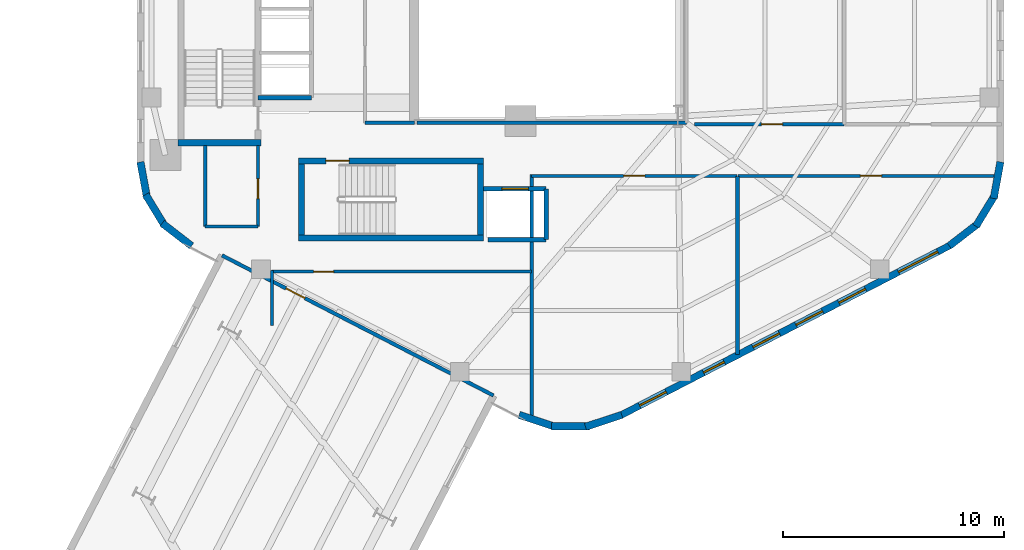
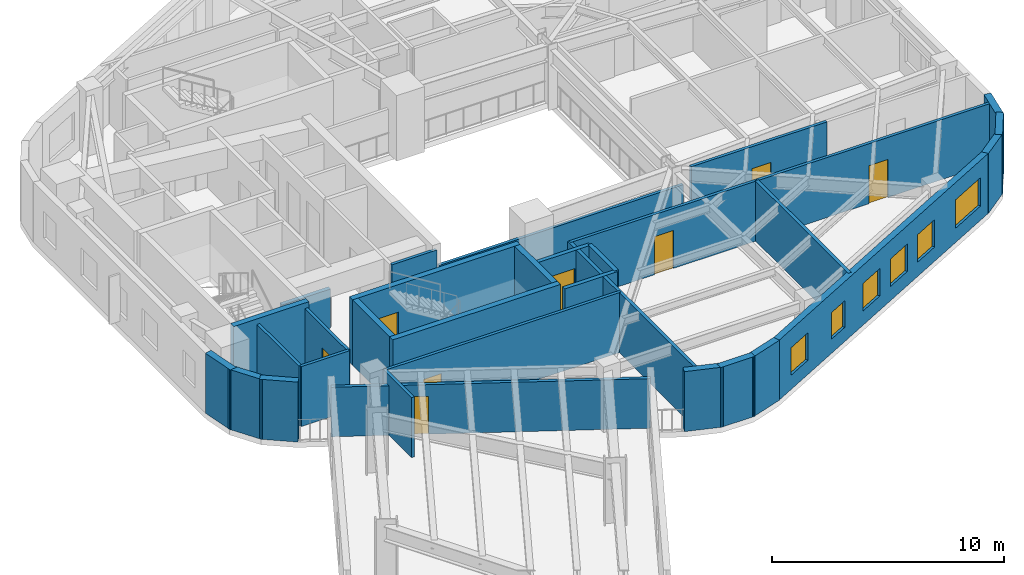
# One storey, part 5 of 9: 32 walls, 8 doors, 6 windows, 14 openings.
"""IFC4 building model written with IfcOpenShell, lengths in metres."""

from ifc_helpers import new_model, si_unit, direction, frame, frame_2d, origin, place, context, subcontext, project, spatial, rectangle, extrude, material, layer, layer_set, type_object, element, fill, save


model = new_model("IFC4")

# Units and contexts
model_context = context("Model", 3, precision=1e-05, world=origin(), true_north=direction((0.0, 1.0)))
body_context = subcontext(model_context, "Body", "Model", "MODEL_VIEW")
ifc_project = project(units=[si_unit("LENGTHUNIT", "METRE"), si_unit("AREAUNIT", "SQUARE_METRE"), si_unit("VOLUMEUNIT", "CUBIC_METRE"), si_unit("PLANEANGLEUNIT", "RADIAN"), si_unit("MASSUNIT", "GRAM", prefix="KILO"), si_unit("THERMODYNAMICTEMPERATUREUNIT", "KELVIN"), si_unit("POWERUNIT", "WATT")], contexts=[model_context])

# Site, building, storey
site_placement = place(None, origin())
site = spatial("IfcSite", under=ifc_project, at=site_placement, CompositionType="ELEMENT")
building_placement = place(site_placement, origin())
building = spatial("IfcBuilding", under=site, at=building_placement, Name="Skarre Station Tower", CompositionType="ELEMENT")
storey_placement = place(building_placement, frame((0.0, 0.0, 177.449951171875)))
storey = spatial("IfcBuildingStorey", under=building, at=storey_placement, Name="L48", CompositionType="ELEMENT", Elevation=177.449951171875)

# Walls
ifc_material_1 = material(Name="Acoustic Steel-Stud Gypsum Partition", Category="steel")
ifc_layer_1 = layer(ifc_material_1, 0.14990234375, Name="Acoustic Steel-Stud Gypsum Partition")
ifc_layer_set_1 = layer_set([ifc_layer_1], Name="Acoustic Steel-Stud Gypsum Partition")
wall_type_1 = type_object("IfcWallType", Name="Fire-Rated Corridor Acoustic Partition 150", PredefinedType="PARTITIONING", material=ifc_layer_set_1)
wall_1_placement = place(storey_placement, frame((25.320068359375, 18.360107421875, 0.0), z_axis=(0.0, 0.0, 1.0), x_axis=(1.0, 0.0, 0.0)))
element("IfcWall", 1, at=wall_1_placement, inside=storey, type_object=wall_type_1, Name="L48 Interior Partition WL-PT-L48-RC1-S", PredefinedType="PARTITIONING", context=body_context, shape_type="SweptSolid", body=[
    extrude(rectangle(XDim=2.22998046875, YDim=0.14990234375, at=frame_2d((1.114990234375, 0.0))), origin(), (0.0, 0.0, 1.0), 3.16015625),
])
wall_2_placement = place(storey_placement, frame((18.10009765625, 17.340087890625, 0.0), z_axis=(0.0, 0.0, 1.0), x_axis=(0.0, -1.0, 0.0)))
element("IfcWall", 2, at=wall_2_placement, inside=storey, type_object=wall_type_1, Name="L48 Interior Partition WL-PT-L48-CSVC-W", PredefinedType="PARTITIONING", context=body_context, shape_type="SweptSolid", body=[
    extrude(rectangle(XDim=3.66015625, YDim=0.14990234375, at=frame_2d((1.830078125, 0.0))), origin(), (0.0, 0.0, 1.0), 3.16015625),
])
wall_3_placement = place(storey_placement, frame((18.10009765625, 13.679931640625, 0.0), z_axis=(0.0, 0.0, 1.0), x_axis=(1.0, 0.0, 0.0)))
element("IfcWall", 3, at=wall_3_placement, inside=storey, type_object=wall_type_1, Name="L48 Interior Partition WL-PT-L48-CSVC-S", PredefinedType="PARTITIONING", context=body_context, shape_type="SweptSolid", body=[
    extrude(rectangle(XDim=2.389892578125, YDim=0.14990234375, at=frame_2d((1.19482421875, 0.0))), origin(), (0.0, 0.0, 1.0), 3.16015625),
])

# Wall, opening, door
wall_4_placement = place(storey_placement, frame((20.489990234375, 13.679931640625, 0.0), z_axis=(0.0, 0.0, 1.0), x_axis=(0.0, 1.0, 0.0)))
wall_4 = element("IfcWall", 4, at=wall_4_placement, inside=storey, type_object=wall_type_1, Name="L48 Interior Partition WL-PT-L48-CSVC-E", PredefinedType="PARTITIONING", context=body_context, shape_type="SweptSolid", body=[
    extrude(rectangle(XDim=3.66015625, YDim=0.14990234375, at=frame_2d((1.830078125, 0.0))), origin(), (0.0, 0.0, 1.0), 3.16015625),
])
opening_1_placement = place(wall_4_placement, frame((1.25, 0.0, 0.0)))
opening_1 = element("IfcOpeningElement", 5, at=opening_1_placement, cuts=wall_4, Name="Opening DR-SVC90", PredefinedType="OPENING", context=body_context, shape_type="SweptSolid", body=[
    extrude(rectangle(XDim=0.89990234375, YDim=2.0, at=frame_2d((0.449951171875, 1.0))), frame((0.0, 0.0849609375, 0.0), z_axis=(0.0, -1.0, 0.0), x_axis=(1.0, 0.0, 0.0)), (0.0, 0.0, 1.0), 0.169921875),
])
ifc_material_2 = material(Name="Powder-Coated Hollow-Metal Acoustic Fire Leaf", Category="steel")
door_type_1 = type_object("IfcDoorType", Name="Service & Riser Fire Door FD60 900x2100", OperationType="SINGLE_SWING_LEFT", PredefinedType="DOOR", material=ifc_material_2)
door_1_placement = place(opening_1_placement, origin())
door_1 = element("IfcDoor", 6, at=door_1_placement, inside=storey, type_object=door_type_1, Name="L48 Core Pantry Door", OperationType="SINGLE_SWING_LEFT", OverallHeight=2.0, OverallWidth=0.89990234375, PredefinedType="DOOR", context=body_context, shape_type="SweptSolid", body=[
    extrude(rectangle(XDim=0.89990234375, YDim=2.0, at=frame_2d((0.449951171875, 1.0))), frame((0.0, 0.02490234375, 0.0), z_axis=(0.0, -1.0, 0.0), x_axis=(1.0, 0.0, 0.0)), (0.0, 0.0, 1.0), 0.050048828125),
])
fill(opening_1, door_1)

# Walls
wall_5_placement = place(storey_placement, frame((27.675048828125, 18.360107421875, 0.0), z_axis=(0.0, 0.0, 1.0), x_axis=(1.0, 0.0, 0.0)))
element("IfcWall", 7, at=wall_5_placement, inside=storey, type_object=wall_type_1, Name="L48 Interior Partition WL-PT-L48-ATRW-S", PredefinedType="PARTITIONING", context=body_context, shape_type="SweptSolid", body=[
    extrude(rectangle(XDim=12.1650390625, YDim=0.14990234375, at=frame_2d((6.08251953125, 0.0))), origin(), (0.0, 0.0, 1.0), 2.301025390625),
])
wall_6_placement = place(storey_placement, frame((21.1201171875, 9.199951171875, 0.0), z_axis=(0.0, 0.0, 1.0), x_axis=(0.0, 1.0, 0.0)))
element("IfcWall", 8, at=wall_6_placement, inside=storey, type_object=wall_type_1, Name="L48 Interior Partition WL-PT-L48-SWP-W4", PredefinedType="PARTITIONING", context=body_context, shape_type="SweptSolid", body=[
    extrude(rectangle(XDim=2.47998046875, YDim=0.14990234375, at=frame_2d((1.239990234375, 0.0))), origin(), (0.0, 0.0, 1.0), 3.16015625),
])

# Wall, opening, door
wall_7_placement = place(storey_placement, frame((21.10009765625, 11.639892578125, 0.0), z_axis=(0.0, 0.0, 1.0), x_axis=(1.0, 0.0, 0.0)))
wall_7 = element("IfcWall", 9, at=wall_7_placement, inside=storey, type_object=wall_type_1, Name="L48 Interior Partition WL-PT-L48-SWP-N", PredefinedType="PARTITIONING", context=body_context, shape_type="SweptSolid", body=[
    extrude(rectangle(XDim=11.75, YDim=0.14990234375, at=frame_2d((5.875, 0.0))), origin(), (0.0, 0.0, 1.0), 3.16015625),
])
opening_2_placement = place(wall_7_placement, frame((1.89990234375, 0.0, 0.0)))
opening_2 = element("IfcOpeningElement", 10, at=opening_2_placement, cuts=wall_7, Name="Opening DR-SVC90", PredefinedType="OPENING", context=body_context, shape_type="SweptSolid", body=[
    extrude(rectangle(XDim=0.89990234375, YDim=2.0, at=frame_2d((0.449951171875, 1.0))), frame((0.0, 0.0849609375, 0.0), z_axis=(0.0, -1.0, 0.0), x_axis=(1.0, 0.0, 0.0)), (0.0, 0.0, 1.0), 0.169921875),
])
door_2_placement = place(opening_2_placement, origin())
door_2 = element("IfcDoor", 11, at=door_2_placement, inside=storey, type_object=door_type_1, Name="L48 Floor Public Toilets Door", OperationType="SINGLE_SWING_LEFT", OverallHeight=2.0, OverallWidth=0.89990234375, PredefinedType="DOOR", context=body_context, shape_type="SweptSolid", body=[
    extrude(rectangle(XDim=0.89990234375, YDim=2.0, at=frame_2d((0.449951171875, 1.0))), frame((0.0, 0.02490234375, 0.0), z_axis=(0.0, -1.0, 0.0), x_axis=(1.0, 0.0, 0.0)), (0.0, 0.0, 1.0), 0.050048828125),
])
fill(opening_2, door_2)

wall_8_placement = place(storey_placement, frame((46.966064453125, 18.2900390625, 0.0), z_axis=(0.0, 0.0, 1.0), x_axis=(-1.0, 0.0, 0.0)))
wall_8 = element("IfcWall", 12, at=wall_8_placement, inside=storey, type_object=wall_type_1, Name="L48 Interior Partition WL-PT-L48-EWS1-CW", PredefinedType="PARTITIONING", context=body_context, shape_type="SweptSolid", body=[
    extrude(rectangle(XDim=6.76611328125, YDim=0.14990234375, at=frame_2d((3.383056640625, 0.0))), origin(), (0.0, 0.0, 1.0), 3.16015625),
])
opening_3_placement = place(wall_8_placement, frame((2.782958984375, 0.0, 0.0)))
opening_3 = element("IfcOpeningElement", 13, at=opening_3_placement, cuts=wall_8, Name="Opening DR-FD60", PredefinedType="OPENING", context=body_context, shape_type="SweptSolid", body=[
    extrude(rectangle(XDim=0.9599609375, YDim=2.0, at=frame_2d((0.47998046875, 1.0))), frame((0.0, 0.0849609375, 0.0), z_axis=(0.0, -1.0, 0.0), x_axis=(1.0, 0.0, 0.0)), (0.0, 0.0, 1.0), 0.169921875),
])
ifc_material_3 = material(Name="Nordic White-Oak Veneer Solid-Core Fire Leaf", Category="wood")
door_type_2 = type_object("IfcDoorType", Name="Corridor Suite Entry Fire Door FD60 960x2150", OperationType="SINGLE_SWING_LEFT", PredefinedType="DOOR", material=ifc_material_3)
door_3_placement = place(opening_3_placement, origin())
door_3 = element("IfcDoor", 14, at=door_3_placement, inside=storey, type_object=door_type_2, Name="L48 EWS1 Entry Door", OperationType="SINGLE_SWING_LEFT", OverallHeight=2.0, OverallWidth=0.9599609375, PredefinedType="DOOR", context=body_context, shape_type="SweptSolid", body=[
    extrude(rectangle(XDim=0.9599609375, YDim=2.0, at=frame_2d((0.47998046875, 1.0))), frame((0.0, 0.02490234375, 0.0), z_axis=(0.0, -1.0, 0.0), x_axis=(1.0, 0.0, 0.0)), (0.0, 0.0, 1.0), 0.050048828125),
])
fill(opening_3, door_3)

wall_9_placement = place(storey_placement, frame((32.85009765625, 15.9599609375, 0.0), z_axis=(0.0, 0.0, 1.0), x_axis=(1.0, 0.0, 0.0)))
wall_9 = element("IfcWall", 15, at=wall_9_placement, inside=storey, type_object=wall_type_1, Name="L48 Interior Partition WL-PT-L48-SW1-CW", PredefinedType="PARTITIONING", context=body_context, shape_type="SweptSolid", body=[
    extrude(rectangle(XDim=9.27587890625, YDim=0.14990234375, at=frame_2d((4.637939453125, 0.0))), origin(), (0.0, 0.0, 1.0), 3.16015625),
])
opening_4_placement = place(wall_9_placement, frame((4.157958984375, 0.0, 0.0)))
opening_4 = element("IfcOpeningElement", 16, at=opening_4_placement, cuts=wall_9, Name="Opening DR-FD60", PredefinedType="OPENING", context=body_context, shape_type="SweptSolid", body=[
    extrude(rectangle(XDim=0.9599609375, YDim=2.0, at=frame_2d((0.47998046875, 1.0))), frame((0.0, 0.0849609375, 0.0), z_axis=(0.0, -1.0, 0.0), x_axis=(1.0, 0.0, 0.0)), (0.0, 0.0, 1.0), 0.169921875),
])
door_4_placement = place(opening_4_placement, origin())
door_4 = element("IfcDoor", 17, at=door_4_placement, inside=storey, type_object=door_type_2, Name="L48 SW1 Entry Door", OperationType="SINGLE_SWING_LEFT", OverallHeight=2.0, OverallWidth=0.9599609375, PredefinedType="DOOR", context=body_context, shape_type="SweptSolid", body=[
    extrude(rectangle(XDim=0.9599609375, YDim=2.0, at=frame_2d((0.47998046875, 1.0))), frame((0.0, 0.02490234375, 0.0), z_axis=(0.0, -1.0, 0.0), x_axis=(1.0, 0.0, 0.0)), (0.0, 0.0, 1.0), 0.050048828125),
])
fill(opening_4, door_4)

wall_10_placement = place(storey_placement, frame((42.162109375, 15.9599609375, 0.0), z_axis=(0.0, 0.0, 1.0), x_axis=(1.0, 0.0, 0.0)))
wall_10 = element("IfcWall", 18, at=wall_10_placement, inside=storey, type_object=wall_type_1, Name="L48 Interior Partition WL-PT-L48-SW2-CW", PredefinedType="PARTITIONING", context=body_context, shape_type="SweptSolid", body=[
    extrude(rectangle(XDim=11.90087890625, YDim=0.14990234375, at=frame_2d((5.950439453125, 0.0))), origin(), (0.0, 0.0, 1.0), 3.16015625),
])
opening_5_placement = place(wall_10_placement, frame((5.5390625, 0.0, 0.0)))
opening_5 = element("IfcOpeningElement", 19, at=opening_5_placement, cuts=wall_10, Name="Opening DR-FD60", PredefinedType="OPENING", context=body_context, shape_type="SweptSolid", body=[
    extrude(rectangle(XDim=0.9599609375, YDim=2.0, at=frame_2d((0.47998046875, 1.0))), frame((0.0, 0.0849609375, 0.0), z_axis=(0.0, -1.0, 0.0), x_axis=(1.0, 0.0, 0.0)), (0.0, 0.0, 1.0), 0.169921875),
])
door_5_placement = place(opening_5_placement, origin())
door_5 = element("IfcDoor", 20, at=door_5_placement, inside=storey, type_object=door_type_2, Name="L48 SW2 Entry Door", OperationType="SINGLE_SWING_LEFT", OverallHeight=2.0, OverallWidth=0.9599609375, PredefinedType="DOOR", context=body_context, shape_type="SweptSolid", body=[
    extrude(rectangle(XDim=0.9599609375, YDim=2.0, at=frame_2d((0.47998046875, 1.0))), frame((0.0, 0.02490234375, 0.0), z_axis=(0.0, -1.0, 0.0), x_axis=(1.0, 0.0, 0.0)), (0.0, 0.0, 1.0), 0.050048828125),
])
fill(opening_5, door_5)

# Walls
ifc_material_4 = material(Name="Precast concrete C45/55", Category="concrete")
ifc_layer_2 = layer(ifc_material_4, 0.330078125, Name="Precast concrete C45/55")
ifc_layer_set_2 = layer_set([ifc_layer_2], Name="Precast concrete C45/55")
wall_type_2 = type_object("IfcWallType", Name="Nordic Rounded Corner Precast Wall 330", PredefinedType="STANDARD", material=ifc_layer_set_2)
wall_11_placement = place(storey_placement, frame((17.489013671875, 12.800048828125, 0.0), z_axis=(0.0, 0.0, 1.0), x_axis=(-0.791409877269, 0.611285862884, 0.0)))
element("IfcWall", 21, at=wall_11_placement, inside=storey, type_object=wall_type_2, Name="L48 Rounded Corner Precast Wall F3-1", PredefinedType="STANDARD", context=body_context, shape_type="SweptSolid", body=[
    extrude(rectangle(XDim=1.676513671875, YDim=0.330078125, at=frame_2d((0.83837890625, 0.0))), origin(), (0.0, 0.0, 1.0), 3.16015625),
])
wall_12_placement = place(storey_placement, frame((16.2880859375, 13.68505859375, 0.0), z_axis=(0.0, 0.0, 1.0), x_axis=(-0.520325409202, 0.853968072318, 0.0)))
element("IfcWall", 22, at=wall_12_placement, inside=storey, type_object=wall_type_2, Name="L48 Rounded Corner Precast Wall F3-2", PredefinedType="STANDARD", context=body_context, shape_type="SweptSolid", body=[
    extrude(rectangle(XDim=1.677978515625, YDim=0.330078125, at=frame_2d((0.8388671875, 0.0))), origin(), (0.0, 0.0, 1.0), 3.16015625),
])
wall_13_placement = place(storey_placement, frame((15.48193359375, 14.943115234375, 0.0), z_axis=(0.0, 0.0, 1.0), x_axis=(-0.180717642671, 0.983535019014, 0.0)))
element("IfcWall", 23, at=wall_13_placement, inside=storey, type_object=wall_type_2, Name="L48 Rounded Corner Precast Wall F3-3", PredefinedType="STANDARD", context=body_context, shape_type="SweptSolid", body=[
    extrude(rectangle(XDim=1.676513671875, YDim=0.330078125, at=frame_2d((0.83837890625, 0.0))), origin(), (0.0, 0.0, 1.0), 3.16015625),
])
wall_14_placement = place(storey_placement, frame((36.9189453125, 5.16796875, 0.0), z_axis=(0.0, 0.0, 1.0), x_axis=(-0.949937416267, -0.312440242569, 0.0)))
element("IfcWall", 24, at=wall_14_placement, inside=storey, type_object=wall_type_2, Name="L48 Rounded Corner Precast Wall F4-1", PredefinedType="STANDARD", context=body_context, shape_type="SweptSolid", body=[
    extrude(rectangle(XDim=1.72216796875, YDim=0.330078125, at=frame_2d((0.861083984375, 0.0))), origin(), (0.0, 0.0, 1.0), 3.16015625),
])
wall_15_placement = place(storey_placement, frame((35.4609375, 4.658935546875, 0.0), z_axis=(0.0, 0.0, 1.0), x_axis=(-1.0, 0.0, 0.0)))
element("IfcWall", 25, at=wall_15_placement, inside=storey, type_object=wall_type_2, Name="L48 Rounded Corner Precast Wall F4-2", PredefinedType="STANDARD", context=body_context, shape_type="SweptSolid", body=[
    extrude(rectangle(XDim=1.721923828125, YDim=0.330078125, at=frame_2d((0.86083984375, 0.0))), origin(), (0.0, 0.0, 1.0), 3.16015625),
])
wall_16_placement = place(storey_placement, frame((33.9169921875, 4.6298828125, 0.0), z_axis=(0.0, 0.0, 1.0), x_axis=(-0.949937416267, 0.312440242569, 0.0)))
element("IfcWall", 26, at=wall_16_placement, inside=storey, type_object=wall_type_2, Name="L48 Rounded Corner Precast Wall F4-3", PredefinedType="STANDARD", context=body_context, shape_type="SweptSolid", body=[
    extrude(rectangle(XDim=1.72216796875, YDim=0.330078125, at=frame_2d((0.861083984375, 0.0))), origin(), (0.0, 0.0, 1.0), 3.16015625),
])
wall_17_placement = place(storey_placement, frame((54.02099609375, 16.592041015625, 0.0), z_axis=(0.0, 0.0, 1.0), x_axis=(-0.180717642671, -0.983535019014, 0.0)))
element("IfcWall", 27, at=wall_17_placement, inside=storey, type_object=wall_type_2, Name="L48 Rounded Corner Precast Wall F5-1", PredefinedType="STANDARD", context=body_context, shape_type="SweptSolid", body=[
    extrude(rectangle(XDim=1.676513671875, YDim=0.330078125, at=frame_2d((0.83837890625, 0.0))), origin(), (0.0, 0.0, 1.0), 3.16015625),
])
wall_18_placement = place(storey_placement, frame((53.784912109375, 15.117919921875, 0.0), z_axis=(0.0, 0.0, 1.0), x_axis=(-0.520219286058, -0.85403272444, 0.0)))
element("IfcWall", 28, at=wall_18_placement, inside=storey, type_object=wall_type_2, Name="L48 Rounded Corner Precast Wall F5-2", PredefinedType="STANDARD", context=body_context, shape_type="SweptSolid", body=[
    extrude(rectangle(XDim=1.677734375, YDim=0.330078125, at=frame_2d((0.8388671875, 0.0))), origin(), (0.0, 0.0, 1.0), 3.16015625),
])
wall_19_placement = place(storey_placement, frame((53.0380859375, 13.824951171875, 0.0), z_axis=(0.0, 0.0, 1.0), x_axis=(-0.791464279355, -0.611215423976, 0.0)))
element("IfcWall", 29, at=wall_19_placement, inside=storey, type_object=wall_type_2, Name="L48 Rounded Corner Precast Wall F5-3", PredefinedType="STANDARD", context=body_context, shape_type="SweptSolid", body=[
    extrude(rectangle(XDim=1.6767578125, YDim=0.330078125, at=frame_2d((0.83837890625, 0.0))), origin(), (0.0, 0.0, 1.0), 3.16015625),
])

# Wall, openings, windows
ifc_layer_3 = layer(ifc_material_4, 0.31005859375, Name="Precast concrete C45/55")
ifc_layer_set_3 = layer_set([ifc_layer_3], Name="Precast concrete C45/55")
wall_type_3 = type_object("IfcWallType", Name="Nordic Upper-Zone Precast Facet Wall 310", PredefinedType="STANDARD", material=ifc_layer_set_3)
wall_20_placement = place(storey_placement, frame((51.7919921875, 12.846923828125, 0.0), z_axis=(0.0, 0.0, 1.0), x_axis=(-0.888626188278, -0.458632202867, 0.0)))
wall_20 = element("IfcWall", 30, at=wall_20_placement, inside=storey, type_object=wall_type_3, Name="L48 Facet 4 Nordic Precast Masonry Wall", PredefinedType="STANDARD", context=body_context, shape_type="SweptSolid", body=[
    extrude(rectangle(XDim=16.828369140625, YDim=0.31005859375, at=frame_2d((8.4140625, 0.0))), origin(), (0.0, 0.0, 1.0), 3.16015625),
])
opening_6_placement = place(wall_20_placement, frame((0.675048828125, 0.0, 0.75)))
opening_6 = element("IfcOpeningElement", 31, at=opening_6_placement, cuts=wall_20, Name="Opening WN-Z3A", PredefinedType="OPENING", context=body_context, shape_type="SweptSolid", body=[
    extrude(rectangle(XDim=2.0, YDim=1.5, at=frame_2d((1.0, 0.75))), frame((0.0, 0.1650390625, 0.0), z_axis=(0.0, -1.0, 0.0), x_axis=(1.0, 0.0, 0.0)), (0.0, 0.0, 1.0), 0.330078125),
])
opening_7_placement = place(wall_20_placement, frame((4.34912109375, 0.0, 0.75)))
opening_7 = element("IfcOpeningElement", 32, at=opening_7_placement, cuts=wall_20, Name="Opening WN-Z3B", PredefinedType="OPENING", context=body_context, shape_type="SweptSolid", body=[
    extrude(rectangle(XDim=1.35009765625, YDim=1.449951171875, at=frame_2d((0.675048828125, 0.72509765625))), frame((0.0, 0.1650390625, 0.0), z_axis=(0.0, -1.0, 0.0), x_axis=(1.0, 0.0, 0.0)), (0.0, 0.0, 1.0), 0.330078125),
])
opening_8_placement = place(wall_20_placement, frame((6.533935546875, 0.0, 0.75)))
opening_8 = element("IfcOpeningElement", 33, at=opening_8_placement, cuts=wall_20, Name="Opening WN-Z3B", PredefinedType="OPENING", context=body_context, shape_type="SweptSolid", body=[
    extrude(rectangle(XDim=1.35009765625, YDim=1.449951171875, at=frame_2d((0.675048828125, 0.72509765625))), frame((0.0, 0.1650390625, 0.0), z_axis=(0.0, -1.0, 0.0), x_axis=(1.0, 0.0, 0.0)), (0.0, 0.0, 1.0), 0.330078125),
])
opening_9_placement = place(wall_20_placement, frame((8.718994140625, 0.0, 0.75)))
opening_9 = element("IfcOpeningElement", 34, at=opening_9_placement, cuts=wall_20, Name="Opening WN-Z3B", PredefinedType="OPENING", context=body_context, shape_type="SweptSolid", body=[
    extrude(rectangle(XDim=1.35009765625, YDim=1.449951171875, at=frame_2d((0.675048828125, 0.72509765625))), frame((0.0, 0.1650390625, 0.0), z_axis=(0.0, -1.0, 0.0), x_axis=(1.0, 0.0, 0.0)), (0.0, 0.0, 1.0), 0.330078125),
])
opening_10_placement = place(wall_20_placement, frame((11.530029296875, 0.0, 0.75)))
opening_10 = element("IfcOpeningElement", 35, at=opening_10_placement, cuts=wall_20, Name="Opening WN-SLT", PredefinedType="OPENING", context=body_context, shape_type="SweptSolid", body=[
    extrude(rectangle(XDim=1.050048828125, YDim=1.39990234375, at=frame_2d((0.52490234375, 0.699951171875))), frame((0.0, 0.1650390625, 0.0), z_axis=(0.0, -1.0, 0.0), x_axis=(1.0, 0.0, 0.0)), (0.0, 0.0, 1.0), 0.330078125),
])
opening_11_placement = place(wall_20_placement, frame((14.47802734375, 0.0, 0.75)))
opening_11 = element("IfcOpeningElement", 36, at=opening_11_placement, cuts=wall_20, Name="Opening WN-Z3B", PredefinedType="OPENING", context=body_context, shape_type="SweptSolid", body=[
    extrude(rectangle(XDim=1.35009765625, YDim=1.449951171875, at=frame_2d((0.675048828125, 0.72509765625))), frame((0.0, 0.1650390625, 0.0), z_axis=(0.0, -1.0, 0.0), x_axis=(1.0, 0.0, 0.0)), (0.0, 0.0, 1.0), 0.330078125),
])
ifc_material_5 = material(Name="Low-Iron Triple Glazing with Bronze Anodized Frame", Category="glass")
window_type_1 = type_object("IfcWindowType", Name="Nordic Corner Slot Window 1050x1400", PartitioningType="SINGLE_PANEL", PredefinedType="WINDOW", material=ifc_material_5)
window_1_placement = place(opening_10_placement, origin())
window_1 = element("IfcWindow", 37, at=window_1_placement, inside=storey, type_object=window_type_1, Name="L48 Facade Window WL-FAC-L48-F4-5", OverallHeight=1.39990234375, OverallWidth=1.050048828125, PartitioningType="SINGLE_PANEL", PredefinedType="WINDOW", context=body_context, shape_type="SweptSolid", body=[
    extrude(rectangle(XDim=1.050048828125, YDim=1.39990234375, at=frame_2d((0.52490234375, 0.699951171875))), frame((0.0, 0.030029296875, 0.0), z_axis=(0.0, -1.0, 0.0), x_axis=(1.0, 0.0, 0.0)), (0.0, 0.0, 1.0), 0.06005859375),
])
fill(opening_10, window_1)
window_type_2 = type_object("IfcWindowType", Name="Nordic Hospitality Narrow Window 1350x1450", PartitioningType="SINGLE_PANEL", PredefinedType="WINDOW", material=ifc_material_5)
window_2_placement = place(opening_7_placement, origin())
window_2 = element("IfcWindow", 38, at=window_2_placement, inside=storey, type_object=window_type_2, Name="L48 Facade Window WL-FAC-L48-F4-2", OverallHeight=1.449951171875, OverallWidth=1.35009765625, PartitioningType="SINGLE_PANEL", PredefinedType="WINDOW", context=body_context, shape_type="SweptSolid", body=[
    extrude(rectangle(XDim=1.35009765625, YDim=1.449951171875, at=frame_2d((0.675048828125, 0.72509765625))), frame((0.0, 0.030029296875, 0.0), z_axis=(0.0, -1.0, 0.0), x_axis=(1.0, 0.0, 0.0)), (0.0, 0.0, 1.0), 0.06005859375),
])
fill(opening_7, window_2)
window_3_placement = place(opening_8_placement, origin())
window_3 = element("IfcWindow", 39, at=window_3_placement, inside=storey, type_object=window_type_2, Name="L48 Facade Window WL-FAC-L48-F4-3", OverallHeight=1.449951171875, OverallWidth=1.35009765625, PartitioningType="SINGLE_PANEL", PredefinedType="WINDOW", context=body_context, shape_type="SweptSolid", body=[
    extrude(rectangle(XDim=1.35009765625, YDim=1.449951171875, at=frame_2d((0.675048828125, 0.72509765625))), frame((0.0, 0.030029296875, 0.0), z_axis=(0.0, -1.0, 0.0), x_axis=(1.0, 0.0, 0.0)), (0.0, 0.0, 1.0), 0.06005859375),
])
fill(opening_8, window_3)
window_4_placement = place(opening_9_placement, origin())
window_4 = element("IfcWindow", 40, at=window_4_placement, inside=storey, type_object=window_type_2, Name="L48 Facade Window WL-FAC-L48-F4-4", OverallHeight=1.449951171875, OverallWidth=1.35009765625, PartitioningType="SINGLE_PANEL", PredefinedType="WINDOW", context=body_context, shape_type="SweptSolid", body=[
    extrude(rectangle(XDim=1.35009765625, YDim=1.449951171875, at=frame_2d((0.675048828125, 0.72509765625))), frame((0.0, 0.030029296875, 0.0), z_axis=(0.0, -1.0, 0.0), x_axis=(1.0, 0.0, 0.0)), (0.0, 0.0, 1.0), 0.06005859375),
])
fill(opening_9, window_4)
window_5_placement = place(opening_11_placement, origin())
window_5 = element("IfcWindow", 41, at=window_5_placement, inside=storey, type_object=window_type_2, Name="L48 Facade Window WL-FAC-L48-F4-6", OverallHeight=1.449951171875, OverallWidth=1.35009765625, PartitioningType="SINGLE_PANEL", PredefinedType="WINDOW", context=body_context, shape_type="SweptSolid", body=[
    extrude(rectangle(XDim=1.35009765625, YDim=1.449951171875, at=frame_2d((0.675048828125, 0.72509765625))), frame((0.0, 0.030029296875, 0.0), z_axis=(0.0, -1.0, 0.0), x_axis=(1.0, 0.0, 0.0)), (0.0, 0.0, 1.0), 0.06005859375),
])
fill(opening_11, window_5)
window_type_3 = type_object("IfcWindowType", Name="Nordic Hospitality Window 2000x1500", PartitioningType="SINGLE_PANEL", PredefinedType="WINDOW", material=ifc_material_5)
window_6_placement = place(opening_6_placement, origin())
window_6 = element("IfcWindow", 42, at=window_6_placement, inside=storey, type_object=window_type_3, Name="L48 Facade Window WL-FAC-L48-F4-1", OverallHeight=1.5, OverallWidth=2.0, PartitioningType="SINGLE_PANEL", PredefinedType="WINDOW", context=body_context, shape_type="SweptSolid", body=[
    extrude(rectangle(XDim=2.0, YDim=1.5, at=frame_2d((1.0, 0.75))), frame((0.0, 0.030029296875, 0.0), z_axis=(0.0, -1.0, 0.0), x_axis=(1.0, 0.0, 0.0)), (0.0, 0.0, 1.0), 0.06005859375),
])
fill(opening_6, window_6)

# Walls
ifc_material_6 = material(Name="Concrete C50/60", Category="concrete")
ifc_layer_4 = layer(ifc_material_6, 0.280029296875, Name="Concrete C50/60")
ifc_layer_set_4 = layer_set([ifc_layer_4], Name="Concrete C50/60")
wall_type_4 = type_object("IfcWallType", Name="RC Core Shear Wall 280", PredefinedType="SHEAR", material=ifc_layer_set_4)
wall_21_placement = place(storey_placement, frame((16.8701171875, 17.4599609375, 0.0), z_axis=(0.0, 0.0, 1.0), x_axis=(1.0, 0.0, 0.0)))
element("IfcWall", 43, at=wall_21_placement, inside=storey, type_object=wall_type_4, Name="L48 Stair ST-1 South Shear Wall", PredefinedType="SHEAR", context=body_context, shape_type="SweptSolid", body=[
    extrude(rectangle(XDim=3.759765625, YDim=0.280029296875, at=frame_2d((1.8798828125, 0.0))), origin(), (0.0, 0.0, 1.0), 3.449951171875),
])
wall_22_placement = place(storey_placement, frame((22.320068359375, 13.159912109375, 0.0), z_axis=(0.0, 0.0, 1.0), x_axis=(1.0, 0.0, 0.0)))
element("IfcWall", 44, at=wall_22_placement, inside=storey, type_object=wall_type_4, Name="L48 Stair ST-2 South Shear Wall", PredefinedType="SHEAR", context=body_context, shape_type="SweptSolid", body=[
    extrude(rectangle(XDim=8.35986328125, YDim=0.280029296875, at=frame_2d((4.179931640625, 0.0))), origin(), (0.0, 0.0, 1.0), 3.449951171875),
])

# Wall, opening, door
wall_23_placement = place(storey_placement, frame((30.679931640625, 16.639892578125, 0.0), z_axis=(0.0, 0.0, 1.0), x_axis=(-1.0, 0.0, 0.0)))
wall_23 = element("IfcWall", 45, at=wall_23_placement, inside=storey, type_object=wall_type_4, Name="L48 Stair ST-2 North Shear Wall", PredefinedType="SHEAR", context=body_context, shape_type="SweptSolid", body=[
    extrude(rectangle(XDim=8.35986328125, YDim=0.280029296875, at=frame_2d((4.179931640625, 0.0))), origin(), (0.0, 0.0, 1.0), 3.449951171875),
])
opening_12_placement = place(wall_23_placement, frame((6.080078125, 0.0, 0.0)))
opening_12 = element("IfcOpeningElement", 46, at=opening_12_placement, cuts=wall_23, Name="Opening DR-FD90", PredefinedType="OPENING", context=body_context, shape_type="SweptSolid", body=[
    extrude(rectangle(XDim=1.050048828125, YDim=2.0, at=frame_2d((0.52490234375, 1.0))), frame((0.0, 0.14990234375, 0.0), z_axis=(0.0, -1.0, 0.0), x_axis=(1.0, 0.0, 0.0)), (0.0, 0.0, 1.0), 0.300048828125),
])
ifc_material_7 = material(Name="Fire-Rated Insulated Steel Frame & Timber Core Leaf", Category="steel")
door_type_3 = type_object("IfcDoorType", Name="Stair & FSAE Lobby Fire Door FD90 1050x2150", OperationType="SINGLE_SWING_RIGHT", PredefinedType="DOOR", material=ifc_material_7)
door_6_placement = place(opening_12_placement, origin())
door_6 = element("IfcDoor", 47, at=door_6_placement, inside=storey, type_object=door_type_3, Name="L48 Stair ST-2 Exit Door", OperationType="SINGLE_SWING_RIGHT", OverallHeight=2.0, OverallWidth=1.050048828125, PredefinedType="DOOR", context=body_context, shape_type="SweptSolid", body=[
    extrude(rectangle(XDim=1.050048828125, YDim=2.0, at=frame_2d((0.52490234375, 1.0))), frame((0.0, 0.02490234375, 0.0), z_axis=(0.0, -1.0, 0.0), x_axis=(1.0, 0.0, 0.0)), (0.0, 0.0, 1.0), 0.050048828125),
])
fill(opening_12, door_6)

# Walls
for number, where, z_axis, x_axis, name in (
    (48, (22.4599609375, 16.5, 0.0), (0.0, 0.0, 1.0), (0.0, -1.0, 0.0), "L48 Stair ST-2 West Shear Wall"),
    (49, (30.5400390625, 13.300048828125, 0.0), (0.0, 0.0, 1.0), (0.0, 1.0, 0.0), "L48 Stair ST-2 East Shear Wall"),
):
    element("IfcWall", number, at=place(storey_placement, frame(where, z_axis=z_axis, x_axis=x_axis)), inside=storey, type_object=wall_type_4, Name=name, PredefinedType="SHEAR", context=body_context, shape_type="SweptSolid", body=[
        extrude(rectangle(XDim=3.199951171875, YDim=0.280029296875, at=frame_2d((1.60009765625, 0.0))), origin(), (0.0, 0.0, 1.0), 3.449951171875),
    ])

# Wall, opening, door
ifc_material_8 = material(Name="Gypsum Concrete Shaft Assembly C30/37", Category="concrete")
ifc_layer_5 = layer(ifc_material_8, 0.199951171875, Name="Gypsum Concrete Shaft Assembly C30/37")
ifc_layer_set_5 = layer_set([ifc_layer_5], Name="Gypsum Concrete Shaft Assembly C30/37")
wall_type_5 = type_object("IfcWallType", Name="Shaft & Core Fire Partition 200", PredefinedType="PARTITIONING", material=ifc_layer_set_5)
wall_24_placement = place(storey_placement, frame((33.5, 15.3798828125, 0.0), z_axis=(0.0, 0.0, 1.0), x_axis=(-1.0, 0.0, 0.0)))
wall_24 = element("IfcWall", 50, at=wall_24_placement, inside=storey, type_object=wall_type_5, Name="L48 Interior Partition WL-PT-L48-SV1-N", PredefinedType="PARTITIONING", context=body_context, shape_type="SweptSolid", body=[
    extrude(rectangle(XDim=2.820068359375, YDim=0.199951171875, at=frame_2d((1.41015625, 0.0))), origin(), (0.0, 0.0, 1.0), 3.16015625),
])
opening_13_placement = place(wall_24_placement, frame((0.800048828125, 0.0, 0.0)))
opening_13 = element("IfcOpeningElement", 51, at=opening_13_placement, cuts=wall_24, Name="Opening LD-SV1", PredefinedType="OPENING", context=body_context, shape_type="SweptSolid", body=[
    extrude(rectangle(XDim=1.199951171875, YDim=2.199951171875, at=frame_2d((0.60009765625, 1.10009765625))), frame((0.0, 0.10986328125, 0.0), z_axis=(0.0, -1.0, 0.0), x_axis=(1.0, 0.0, 0.0)), (0.0, 0.0, 1.0), 0.219970703125),
])
ifc_material_9 = material(Name="Heavy-Gauge Brushed Stainless Steel Sliding Leaves", Category="steel")
door_type_4 = type_object("IfcDoorType", Name="Service Elevator Wide Sliding Landing Door 1200x2200", OperationType="SLIDING_TO_RIGHT", PredefinedType="DOOR", material=ifc_material_9)
door_7_placement = place(opening_13_placement, origin())
door_7 = element("IfcDoor", 52, at=door_7_placement, inside=storey, type_object=door_type_4, Name="L48 Service Lift LF-SV1 Landing Door", OperationType="SLIDING_TO_RIGHT", OverallHeight=2.199951171875, OverallWidth=1.199951171875, PredefinedType="DOOR", context=body_context, shape_type="SweptSolid", body=[
    extrude(rectangle(XDim=1.199951171875, YDim=2.199951171875, at=frame_2d((0.60009765625, 1.10009765625))), frame((0.0, 0.02490234375, 0.0), z_axis=(0.0, -1.0, 0.0), x_axis=(1.0, 0.0, 0.0)), (0.0, 0.0, 1.0), 0.050048828125),
])
fill(opening_13, door_7)

# Walls
wall_25_placement = place(storey_placement, frame((33.5, 13.080078125, 0.0), z_axis=(0.0, 0.0, 1.0), x_axis=(0.0, 1.0, 0.0)))
element("IfcWall", 53, at=wall_25_placement, inside=storey, type_object=wall_type_5, Name="L48 Interior Partition WL-PT-L48-SV1-E", PredefinedType="PARTITIONING", context=body_context, shape_type="SweptSolid", body=[
    extrude(rectangle(XDim=2.2998046875, YDim=0.199951171875, at=frame_2d((1.14990234375, 0.0))), origin(), (0.0, 0.0, 1.0), 3.16015625),
])
wall_26_placement = place(storey_placement, frame((30.87890625, 13.080078125, 0.0), z_axis=(0.0, 0.0, 1.0), x_axis=(1.0, 0.0, 0.0)))
element("IfcWall", 54, at=wall_26_placement, inside=storey, type_object=wall_type_5, Name="L48 Interior Partition WL-PT-L48-SV1-S", PredefinedType="PARTITIONING", context=body_context, shape_type="SweptSolid", body=[
    extrude(rectangle(XDim=2.62109375, YDim=0.199951171875, at=frame_2d((1.310546875, 0.0))), origin(), (0.0, 0.0, 1.0), 3.16015625),
])
wall_27_placement = place(storey_placement, frame((20.489990234375, 19.5, 0.0), z_axis=(0.0, 0.0, 1.0), x_axis=(1.0, 0.0, 0.0)))
element("IfcWall", 55, at=wall_27_placement, inside=storey, type_object=wall_type_5, Name="L48 Interior Partition WL-PT-L48-B3-S", PredefinedType="PARTITIONING", context=body_context, shape_type="SweptSolid", body=[
    extrude(rectangle(XDim=2.409912109375, YDim=0.199951171875, at=frame_2d((1.205078125, 0.0))), origin(), (0.0, 0.0, 1.0), 2.06005859375),
])
ifc_layer_6 = layer(ifc_material_1, 0.1650390625, Name="Acoustic Steel-Stud Gypsum Partition")
ifc_layer_set_6 = layer_set([ifc_layer_6], Name="Acoustic Steel-Stud Gypsum Partition")
wall_type_6 = type_object("IfcWallType", Name="Suite Demising Acoustic Partition 165", PredefinedType="PARTITIONING", material=ifc_layer_set_6)
wall_28_placement = place(storey_placement, frame((32.85009765625, 4.97607421875, 0.0), z_axis=(0.0, 0.0, 1.0), x_axis=(0.0, 1.0, 0.0)))
element("IfcWall", 56, at=wall_28_placement, inside=storey, type_object=wall_type_6, Name="L48 Interior Partition WL-PT-L48-SWP-E", PredefinedType="PARTITIONING", context=body_context, shape_type="SweptSolid", body=[
    extrude(rectangle(XDim=11.053955078125, YDim=0.1650390625, at=frame_2d((5.52685546875, 0.0))), origin(), (0.0, 0.0, 1.0), 3.16015625),
])
wall_29_placement = place(storey_placement, frame((42.14404296875, 7.884033203125, 0.0), z_axis=(0.0, 0.0, 1.0), x_axis=(0.0, 1.0, 0.0)))
element("IfcWall", 57, at=wall_29_placement, inside=storey, type_object=wall_type_6, Name="L48 Interior Partition WL-PT-L48-SW-P1", PredefinedType="PARTITIONING", context=body_context, shape_type="SweptSolid", body=[
    extrude(rectangle(XDim=8.0458984375, YDim=0.1650390625, at=frame_2d((4.02294921875, 0.0))), origin(), (0.0, 0.0, 1.0), 3.16015625),
])

# Wall, opening, door
wall_30_placement = place(storey_placement, frame((18.865966796875, 12.3701171875, 0.0), z_axis=(0.0, 0.0, 1.0), x_axis=(0.888625308836, -0.458633906832, 0.0)))
wall_30 = element("IfcWall", 58, at=wall_30_placement, inside=storey, type_object=wall_type_6, Name="L48 Interior Partition WL-PT-L48-SB-4-ROOT", PredefinedType="PARTITIONING", context=body_context, shape_type="SweptSolid", body=[
    extrude(rectangle(XDim=13.7998046875, YDim=0.1650390625, at=frame_2d((6.89990234375, 0.0))), origin(), (0.0, 0.0, 1.0), 2.611083984375),
])
opening_14_placement = place(wall_30_placement, frame((3.25, 0.0, 0.0)))
opening_14 = element("IfcOpeningElement", 59, at=opening_14_placement, cuts=wall_30, Name="Opening DR-FD60", PredefinedType="OPENING", context=body_context, shape_type="SweptSolid", body=[
    extrude(rectangle(XDim=0.9599609375, YDim=2.0, at=frame_2d((0.47998046875, 1.0))), frame((0.0, 0.092529296875, 0.0), z_axis=(0.0, -1.0, 0.0), x_axis=(1.0, 0.0, 0.0)), (0.0, 0.0, 1.0), 0.18505859375),
])
door_8_placement = place(opening_14_placement, origin())
door_8 = element("IfcDoor", 60, at=door_8_placement, inside=storey, type_object=door_type_2, Name="L48 SB-4 Horizon Salon Door", OperationType="SINGLE_SWING_LEFT", OverallHeight=2.0, OverallWidth=0.9599609375, PredefinedType="DOOR", context=body_context, shape_type="SweptSolid", body=[
    extrude(rectangle(XDim=0.9599609375, YDim=2.0, at=frame_2d((0.47998046875, 1.0))), frame((0.0, 0.02490234375, 0.0), z_axis=(0.0, -1.0, 0.0), x_axis=(1.0, 0.0, 0.0)), (0.0, 0.0, 1.0), 0.050048828125),
])
fill(opening_14, door_8)

save(model, "model.ifc")
